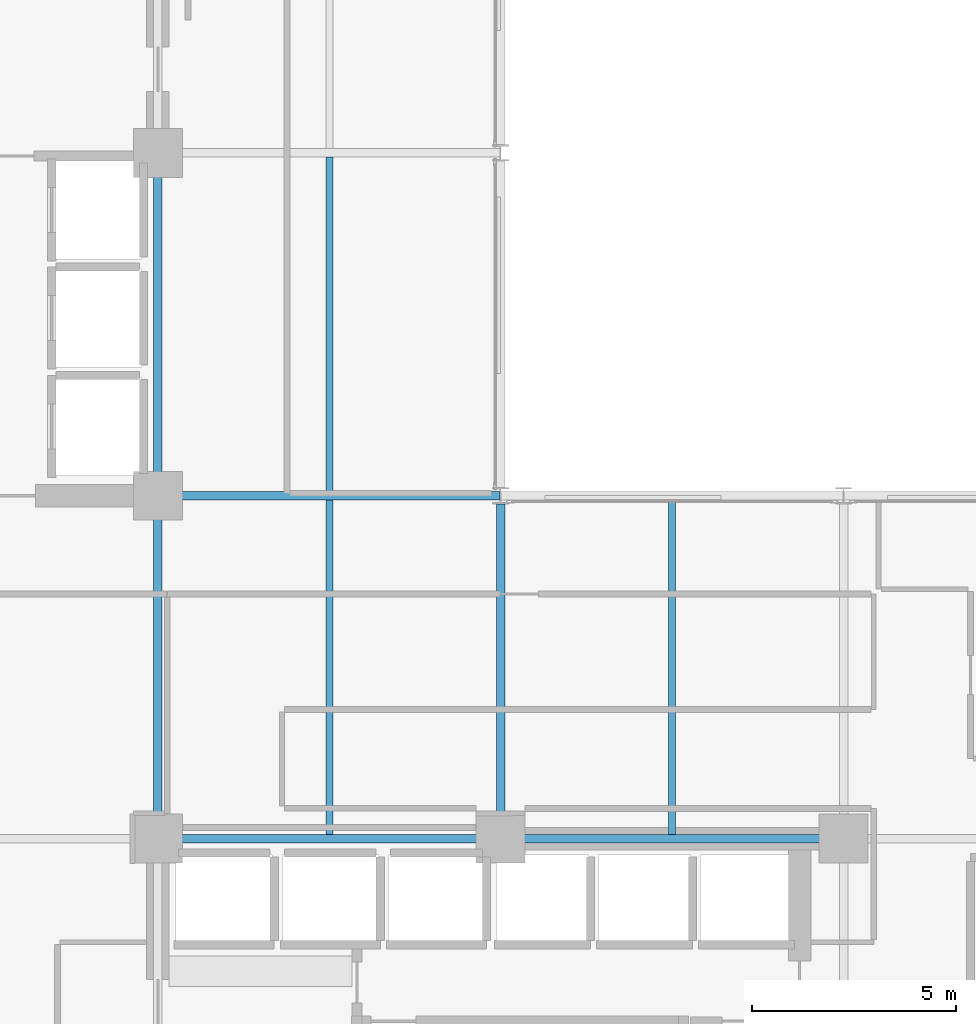
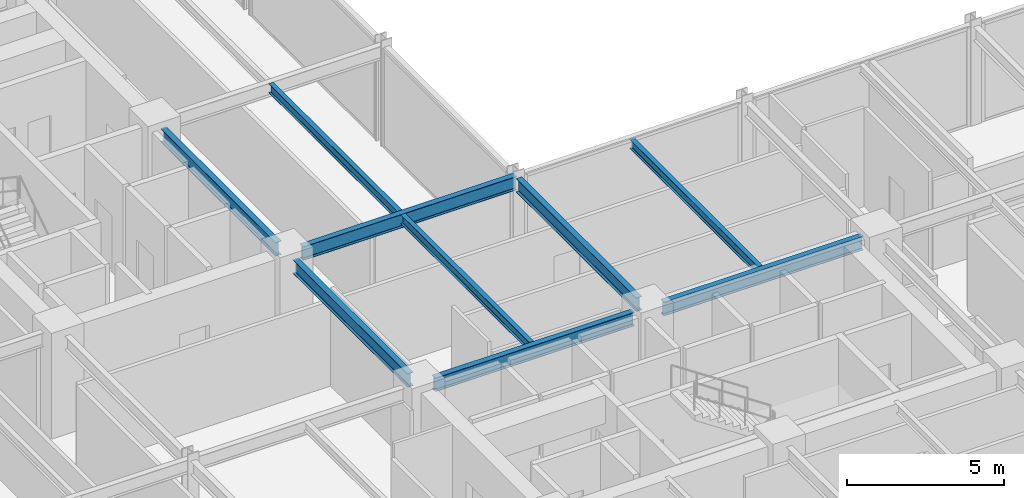
# One storey, part 14 of 38: 9 beams.
"""IFC4 building model written with IfcOpenShell, lengths in metres."""

import ifcopenshell
import ifcopenshell.guid

model = None  # the IFC model being written
_history = None  # IfcOwnerHistory: only IFC2X3 demands one
_inside = {}  # id of a spatial element -> (the spatial element, [elements in it])
_under = {}  # id of a project, library or spatial element -> (it, [spatial elements below it])
_declared = {}  # id of a project -> (the project, [libraries it declares])
_typed = {}  # id of a type object -> (the type object, [elements of that type])
_made_of = {}  # id of a material, layer set ... -> (it, [elements and type objects made of it])


def new_model(schema):
    """Start an empty IFC model of exactly this schema.

    Asked for "IFC4X3", IfcOpenShell would pick the latest addendum, in which some entities
    have other attributes; the version numbers below select the first issue.
    IFC2X3 requires an IfcOwnerHistory on every rooted entity: one is made here for all.
    """
    global model, _history
    if schema == "IFC4X3":
        model = ifcopenshell.file(schema_version=(4, 3, 0, 0))
    else:
        model = ifcopenshell.file(schema=schema)
    _inside.clear()
    _under.clear()
    _declared.clear()
    _typed.clear()
    _made_of.clear()
    _history = None
    if model.schema == "IFC2X3":
        org = make("IfcOrganization", Name="unknown")
        user = make(
            "IfcPersonAndOrganization",
            ThePerson=make("IfcPerson", FamilyName="unknown"),
            TheOrganization=org,
        )
        app = make(
            "IfcApplication",
            ApplicationDeveloper=org,
            Version="unknown",
            ApplicationFullName="unknown",
            ApplicationIdentifier="unknown",
        )
        _history = make(
            "IfcOwnerHistory",
            OwningUser=user,
            OwningApplication=app,
            ChangeAction="ADDED",
            CreationDate=0,
        )
    return model


def make(cls, **values):
    """One entity of the class cls with the attributes given. An attribute that is None is left unset."""
    return model.create_entity(
        cls, **{name: value for name, value in values.items() if value is not None}
    )


def rooted(cls, **values):
    """An entity with a GlobalId (a new one), such as an element, a storey or a relation."""
    return make(cls, GlobalId=ifcopenshell.guid.new(), OwnerHistory=_history, **values)


def si_unit(unit_type, name, prefix=None):
    """IfcSIUnit, for example si_unit("LENGTHUNIT", "METRE", prefix="MILLI")."""
    return make("IfcSIUnit", UnitType=unit_type, Prefix=prefix, Name=name)


def assignment(units):
    """IfcUnitAssignment: the units of a project."""
    return None if units is None else make("IfcUnitAssignment", Units=units)


def point(xyz):
    """IfcCartesianPoint."""
    return None if xyz is None else make("IfcCartesianPoint", Coordinates=xyz)


def direction(xyz):
    """IfcDirection."""
    return None if xyz is None else make("IfcDirection", DirectionRatios=xyz)


def frame(location, z_axis=None, x_axis=None):
    """IfcAxis2Placement3D, a coordinate frame: its origin and axes. An axis left out is left unset."""
    return make(
        "IfcAxis2Placement3D",
        Location=point(location),
        Axis=direction(z_axis),
        RefDirection=direction(x_axis),
    )


def frame_2d(location, x_axis=None):
    """IfcAxis2Placement2D, a coordinate frame in the plane: its origin and x axis."""
    return make(
        "IfcAxis2Placement2D", Location=point(location), RefDirection=direction(x_axis)
    )


def origin():
    """The frame at (0, 0, 0) with its axes left unset."""
    return frame((0.0, 0.0, 0.0))


def origin_2d():
    """The frame at (0, 0) in the plane with its x axis left unset."""
    return frame_2d((0.0, 0.0))


def place(relative_to, where):
    """IfcLocalPlacement: puts the frame where relative to a parent placement (None: the world)."""
    return make(
        "IfcLocalPlacement", PlacementRelTo=relative_to, RelativePlacement=where
    )


def context(
    kind, dimensions, precision=None, world=None, true_north=None, identifier=None
):
    """IfcGeometricRepresentationContext, for example the 3D "Model" context."""
    return make(
        "IfcGeometricRepresentationContext",
        ContextIdentifier=identifier,
        ContextType=kind,
        CoordinateSpaceDimension=dimensions,
        Precision=precision,
        WorldCoordinateSystem=world,
        TrueNorth=true_north,
    )


def subcontext(parent, identifier, kind, view, scale=None):
    """IfcGeometricRepresentationSubContext, for example "Body" below "Model"."""
    return make(
        "IfcGeometricRepresentationSubContext",
        ContextIdentifier=identifier,
        ContextType=kind,
        ParentContext=parent,
        TargetScale=scale,
        TargetView=view,
    )


def project(units=None, contexts=None):
    """IfcProject with its units and contexts."""
    return rooted(
        "IfcProject",
        Name="project",
        RepresentationContexts=contexts,
        UnitsInContext=assignment(units),
    )


def spatial(cls, under=None, at=None, **own):
    """A site, building, storey or space (cls), placed at a placement, below another one or the project."""
    s = rooted(cls, ObjectPlacement=at, **own)
    if under is not None:
        _under.setdefault(under.id(), (under, []))[1].append(s)
    return s


def profile(cls, at=None, kind="AREA", **sizes):
    """A parametric profile (cls). Its sizes go by their IFC names, for example OverallWidth=200.0."""
    return make(cls, ProfileType=kind, Position=at, **sizes)


def i_section(**sizes):
    """IfcIShapeProfileDef."""
    return profile("IfcIShapeProfileDef", **sizes)


def extrude(swept, where, along, depth):
    """IfcExtrudedAreaSolid: the profile swept, set in the frame where, extruded along a direction by depth."""
    return make(
        "IfcExtrudedAreaSolid",
        SweptArea=swept,
        Position=where,
        ExtrudedDirection=direction(along),
        Depth=depth,
    )


def shape(context_of_items, identifier, shape_type, items):
    """IfcShapeRepresentation: the items that make up one representation, for example the "Body"."""
    return make(
        "IfcShapeRepresentation",
        ContextOfItems=context_of_items,
        RepresentationIdentifier=identifier,
        RepresentationType=shape_type,
        Items=items,
    )


def material(Name=None, Category=None):
    """IfcMaterial."""
    return make("IfcMaterial", Name=Name, Category=Category)


def material_profile(
    of_material, cross_section, Name=None, Category=None, Priority=None
):
    """IfcMaterialProfile: a cross section and its material."""
    return make(
        "IfcMaterialProfile",
        Name=Name,
        Material=of_material,
        Profile=cross_section,
        Priority=Priority,
        Category=Category,
    )


def profile_set(profiles, Name=None, composite=None):
    """IfcMaterialProfileSet."""
    return make(
        "IfcMaterialProfileSet",
        Name=Name,
        MaterialProfiles=profiles,
        CompositeProfile=composite,
    )


def made_of(thing, what):
    """Note that an element or type object is made of a material, layer set ...; save() writes the relation."""
    if what is not None:
        _made_of.setdefault(what.id(), (what, []))[1].append(thing)
    return thing


def type_object(cls, material=None, **own):
    """A type object (cls), such as IfcWallType, which elements share."""
    return made_of(rooted(cls, **own), material)


def element(
    cls,
    number,
    at=None,
    inside=None,
    cuts=None,
    type_object=None,
    material=None,
    context=None,
    identifier="Body",
    shape_type=None,
    held_by="IfcProductDefinitionShape",
    body=None,
    shapes=None,
    **own,
):
    """One element of the class cls, such as IfcWall. Its Tag is "e" and its number.

    at: its placement. inside: the storey or other place that contains it. cuts: it is an
    opening in that element (IfcRelVoidsElement). A single representation is given by context,
    identifier, shape_type and body (its items); several are given by shapes. held_by: the class
    of the entity that holds the representations. save() writes the other relations.
    """
    e = rooted(cls, Tag="e%d" % number, ObjectPlacement=at, **own)
    if body is not None:
        shapes = [shape(context, identifier, shape_type, body)]
    if shapes is not None:
        e.Representation = make(held_by, Representations=shapes)
    if inside is not None:
        _inside.setdefault(inside.id(), (inside, []))[1].append(e)
    if cuts is not None:
        rooted(
            "IfcRelVoidsElement", RelatingBuildingElement=cuts, RelatedOpeningElement=e
        )
    if type_object is not None:
        _typed.setdefault(type_object.id(), (type_object, []))[1].append(e)
    return made_of(e, material)


def aggregate(whole, parts):
    """IfcRelAggregates: a whole, such as a stair, and the parts it consists of."""
    return rooted("IfcRelAggregates", RelatingObject=whole, RelatedObjects=parts)


def save(model, path):
    """Write the relations noted so far, then the file.

    IfcRelAggregates (storeys below a building ...), IfcRelContainedInSpatialStructure (elements
    in a storey), IfcRelDefinesByType, IfcRelAssociatesMaterial and IfcRelDeclares: one each for
    every whole, place, type object, material and project.
    """
    for whole, parts in _under.values():
        aggregate(whole, parts)
    for where, things in _inside.values():
        rooted(
            "IfcRelContainedInSpatialStructure",
            RelatedElements=things,
            RelatingStructure=where,
        )
    for kind, things in _typed.values():
        rooted("IfcRelDefinesByType", RelatedObjects=things, RelatingType=kind)
    for what, things in _made_of.values():
        rooted("IfcRelAssociatesMaterial", RelatedObjects=things, RelatingMaterial=what)
    for by, libraries in _declared.values():
        rooted("IfcRelDeclares", RelatingContext=by, RelatedDefinitions=libraries)
    model.write(path)


model = new_model("IFC4")

# Units and contexts
model_context = context("Model", 3, precision=1e-05, world=origin(), true_north=direction((0.0, 1.0)))
body_context = subcontext(model_context, "Body", "Model", "MODEL_VIEW")
ifc_project = project(units=[si_unit("LENGTHUNIT", "METRE"), si_unit("AREAUNIT", "SQUARE_METRE"), si_unit("VOLUMEUNIT", "CUBIC_METRE"), si_unit("PLANEANGLEUNIT", "RADIAN"), si_unit("MASSUNIT", "GRAM", prefix="KILO")], contexts=[model_context])

# Site, building, storey
site_placement = place(None, origin())
site = spatial("IfcSite", under=ifc_project, at=site_placement, CompositionType="ELEMENT")
building_placement = place(site_placement, origin())
building = spatial("IfcBuilding", under=site, at=building_placement, Name="Nerrivon Quay Data Exchange", CompositionType="ELEMENT")
storey_placement = place(building_placement, frame((0.0, 0.0, 84.39990234375)))
storey = spatial("IfcBuildingStorey", under=building, at=storey_placement, Name="L19", CompositionType="ELEMENT", Elevation=84.39990234375)

# Beams
ifc_material = material(Name="Steel Grade 350", Category="steel")
ifc_material_profile_1 = material_profile(ifc_material, i_section(OverallWidth=0.208984375, OverallDepth=0.532958984375, WebThickness=0.01025390625, FlangeThickness=0.015625, FilletRadius=0.013916015625, at=origin_2d()), Name="530UB92.4")
ifc_profile_set_1 = profile_set([ifc_material_profile_1], Name="Steel Grade 350")
beam_type_1 = type_object("IfcBeamType", Name="BM-G3-530UB92", PredefinedType="BEAM", material=ifc_profile_set_1)
beam_1_placement = place(storey_placement, frame((17.340087890625, 16.800048828125, 3.55859375), z_axis=(1.0, 0.0, 0.0), x_axis=(0.0, 1.0, 0.0)))
element("IfcBeam", 1, at=beam_1_placement, inside=storey, type_object=beam_type_1, Name="L19 EW Girder Y=16.8 (16.8..25.2)", PredefinedType="BEAM", context=body_context, shape_type="SweptSolid", body=[
    extrude(i_section(OverallWidth=0.208984375, OverallDepth=0.532958984375, WebThickness=0.01025390625, FlangeThickness=0.015625, FilletRadius=0.013916015625, at=origin_2d()), origin(), (0.0, 0.0, 1.0), 7.31982421875),
])
beam_2_placement = place(storey_placement, frame((25.739990234375, 16.800048828125, 3.55859375), z_axis=(1.0, 0.0, 0.0), x_axis=(0.0, 1.0, 0.0)))
element("IfcBeam", 2, at=beam_2_placement, inside=storey, type_object=beam_type_1, Name="L19 EW Girder Y=16.8 (25.2..33.6)", PredefinedType="BEAM", context=body_context, shape_type="SweptSolid", body=[
    extrude(i_section(OverallWidth=0.208984375, OverallDepth=0.532958984375, WebThickness=0.01025390625, FlangeThickness=0.015625, FilletRadius=0.013916015625, at=origin_2d()), origin(), (0.0, 0.0, 1.0), 7.320068359375),
])
beam_3_placement = place(storey_placement, frame((17.340087890625, 25.199951171875, 3.55859375), z_axis=(1.0, 0.0, 0.0), x_axis=(0.0, 1.0, 0.0)))
element("IfcBeam", 3, at=beam_3_placement, inside=storey, type_object=beam_type_1, Name="L19 EW Girder Y=25.2 (16.8..25.2)", PredefinedType="BEAM", context=body_context, shape_type="SweptSolid", body=[
    extrude(i_section(OverallWidth=0.208984375, OverallDepth=0.532958984375, WebThickness=0.01025390625, FlangeThickness=0.015625, FilletRadius=0.013916015625, at=origin_2d()), origin(), (0.0, 0.0, 1.0), 7.847412109375),
])
ifc_material_profile_2 = material_profile(ifc_material, i_section(OverallWidth=0.208984375, OverallDepth=0.528076171875, WebThickness=0.009521484375, FlangeThickness=0.01318359375, FilletRadius=0.013916015625, at=origin_2d()), Name="530UB82.0")
ifc_profile_set_2 = profile_set([ifc_material_profile_2], Name="Steel Grade 350")
beam_type_2 = type_object("IfcBeamType", Name="BM-G4-530UB82", PredefinedType="BEAM", material=ifc_profile_set_2)
beam_4_placement = place(storey_placement, frame((16.800048828125, 17.340087890625, 3.56103515625), z_axis=(0.0, 1.0, 0.0), x_axis=(-1.0, 0.0, 0.0)))
element("IfcBeam", 4, at=beam_4_placement, inside=storey, type_object=beam_type_2, Name="L19 NS Girder X=16.8 (16.8..25.2)", PredefinedType="BEAM", context=body_context, shape_type="SweptSolid", body=[
    extrude(i_section(OverallWidth=0.208984375, OverallDepth=0.528076171875, WebThickness=0.009521484375, FlangeThickness=0.01318359375, FilletRadius=0.013916015625, at=origin_2d()), origin(), (0.0, 0.0, 1.0), 7.31982421875),
])
beam_5_placement = place(storey_placement, frame((16.800048828125, 25.739990234375, 3.56103515625), z_axis=(0.0, 1.0, 0.0), x_axis=(-1.0, 0.0, 0.0)))
element("IfcBeam", 5, at=beam_5_placement, inside=storey, type_object=beam_type_2, Name="L19 NS Girder X=16.8 (25.2..33.6)", PredefinedType="BEAM", context=body_context, shape_type="SweptSolid", body=[
    extrude(i_section(OverallWidth=0.208984375, OverallDepth=0.528076171875, WebThickness=0.009521484375, FlangeThickness=0.01318359375, FilletRadius=0.013916015625, at=origin_2d()), origin(), (0.0, 0.0, 1.0), 7.320068359375),
])
beam_6_placement = place(storey_placement, frame((25.199951171875, 17.340087890625, 3.56103515625), z_axis=(0.0, 1.0, 0.0), x_axis=(-1.0, 0.0, 0.0)))
element("IfcBeam", 6, at=beam_6_placement, inside=storey, type_object=beam_type_2, Name="L19 NS Girder X=25.2 (16.8..25.2)", PredefinedType="BEAM", context=body_context, shape_type="SweptSolid", body=[
    extrude(i_section(OverallWidth=0.208984375, OverallDepth=0.528076171875, WebThickness=0.009521484375, FlangeThickness=0.01318359375, FilletRadius=0.013916015625, at=origin_2d()), origin(), (0.0, 0.0, 1.0), 7.659912109375),
])
ifc_material_profile_3 = material_profile(ifc_material, i_section(OverallWidth=0.1708984375, OverallDepth=0.35595703125, WebThickness=0.00732421875, FlangeThickness=0.011474609375, FilletRadius=0.011474609375, at=origin_2d()), Name="360UB50.7")
ifc_profile_set_3 = profile_set([ifc_material_profile_3], Name="Steel Grade 350")
beam_type_3 = type_object("IfcBeamType", Name="BM-J4-360UB51", PredefinedType="JOIST", material=ifc_profile_set_3)
beam_7_placement = place(storey_placement, frame((21.0, 16.904541015625, 3.647216796875), z_axis=(0.0, 1.0, 0.0), x_axis=(-1.0, 0.0, 0.0)))
element("IfcBeam", 7, at=beam_7_placement, inside=storey, type_object=beam_type_3, Name="L19 Secondary Joist X=21.0 (16.8..25.2)", PredefinedType="JOIST", context=body_context, shape_type="SweptSolid", body=[
    extrude(i_section(OverallWidth=0.1708984375, OverallDepth=0.35595703125, WebThickness=0.00732421875, FlangeThickness=0.011474609375, FilletRadius=0.011474609375, at=origin_2d()), origin(), (0.0, 0.0, 1.0), 8.19091796875),
])
beam_8_placement = place(storey_placement, frame((21.0, 25.304443359375, 3.647216796875), z_axis=(0.0, 1.0, 0.0), x_axis=(-1.0, 0.0, 0.0)))
element("IfcBeam", 8, at=beam_8_placement, inside=storey, type_object=beam_type_3, Name="L19 Secondary Joist X=21.0 (25.2..33.6)", PredefinedType="JOIST", context=body_context, shape_type="SweptSolid", body=[
    extrude(i_section(OverallWidth=0.1708984375, OverallDepth=0.35595703125, WebThickness=0.00732421875, FlangeThickness=0.011474609375, FilletRadius=0.011474609375, at=origin_2d()), origin(), (0.0, 0.0, 1.0), 8.191162109375),
])
beam_9_placement = place(storey_placement, frame((29.39990234375, 16.904541015625, 3.647216796875), z_axis=(0.0, 1.0, 0.0), x_axis=(-1.0, 0.0, 0.0)))
element("IfcBeam", 9, at=beam_9_placement, inside=storey, type_object=beam_type_3, Name="L19 Secondary Joist X=29.4 (16.8..25.2)", PredefinedType="JOIST", context=body_context, shape_type="SweptSolid", body=[
    extrude(i_section(OverallWidth=0.1708984375, OverallDepth=0.35595703125, WebThickness=0.00732421875, FlangeThickness=0.011474609375, FilletRadius=0.011474609375, at=origin_2d()), origin(), (0.0, 0.0, 1.0), 8.19091796875),
])

save(model, "model.ifc")
